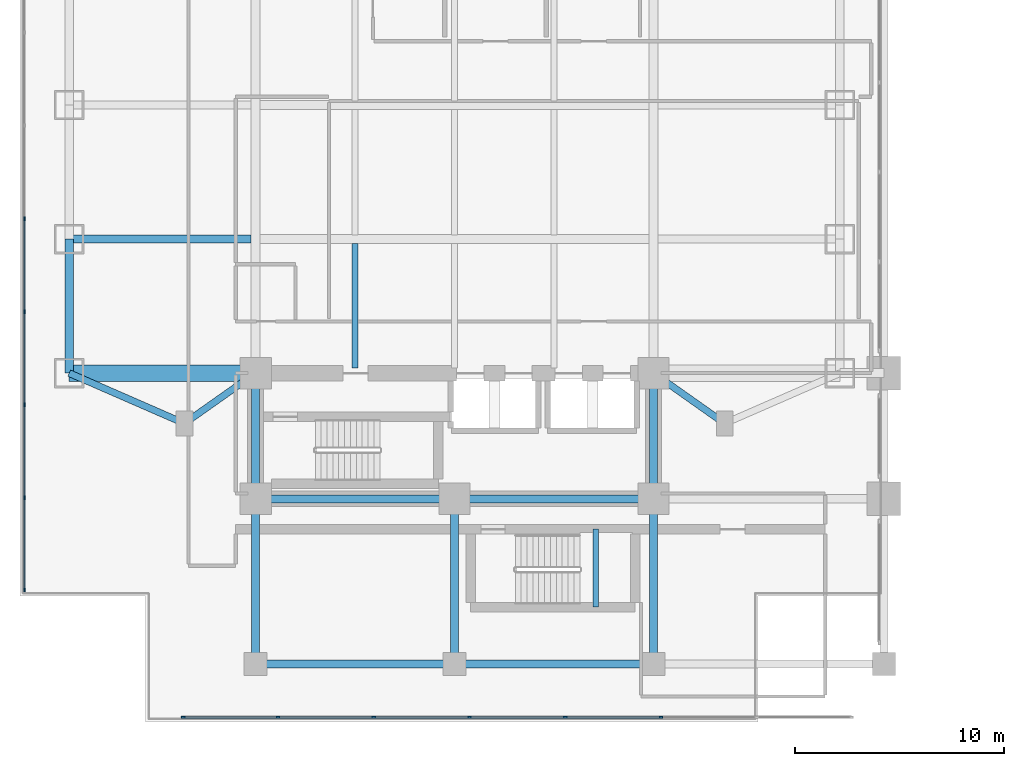
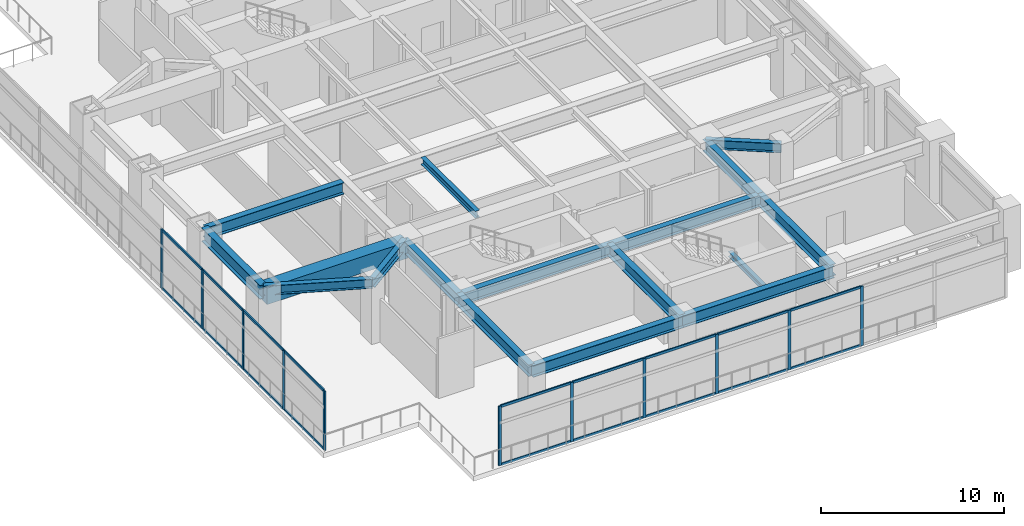
# One storey, part 2 of 31: 29 members, 17 beams, 2 elements without a shape of their own.
"""IFC4 building model written with IfcOpenShell, lengths in metres."""

from ifc_helpers import new_model, si_unit, direction, frame, origin, origin_2d, place, context, subcontext, project, spatial, rectangle, i_section, extrude, material, material_profile, profile_set, type_object, element, aggregate, save


model = new_model("IFC4")

# Units and contexts
model_context = context("Model", 3, precision=1e-05, world=origin(), true_north=direction((0.0, 1.0)))
body_context = subcontext(model_context, "Body", "Model", "MODEL_VIEW")
ifc_project = project(units=[si_unit("LENGTHUNIT", "METRE"), si_unit("AREAUNIT", "SQUARE_METRE"), si_unit("VOLUMEUNIT", "CUBIC_METRE"), si_unit("PLANEANGLEUNIT", "RADIAN"), si_unit("MASSUNIT", "GRAM", prefix="KILO")], contexts=[model_context])

# Site, building, storey
site_placement = place(None, origin())
site = spatial("IfcSite", under=ifc_project, at=site_placement, CompositionType="ELEMENT")
building_placement = place(site_placement, origin())
building = spatial("IfcBuilding", under=site, at=building_placement, Name="Mirazonda Arch Towers", CompositionType="ELEMENT")
storey_placement = place(building_placement, frame((0.0, 0.0, 5.199951171875)))
storey = spatial("IfcBuildingStorey", under=building, at=storey_placement, Name="L01", CompositionType="ELEMENT", Elevation=5.199951171875)

# Beams
ifc_material_1 = material(Name="Steel ASTM A992 Grade 50", Category="steel")
ifc_material_profile_1 = material_profile(ifc_material_1, i_section(OverallWidth=0.381103515625, OverallDepth=0.77294921875, WebThickness=0.0166015625, FlangeThickness=0.027099609375, at=origin_2d()), Name="W30X173")
ifc_profile_set_1 = profile_set([ifc_material_profile_1], Name="Steel ASTM A992 Grade 50")
beam_type_1 = type_object("IfcBeamType", Name="BM-EXT-W30X173", PredefinedType="USERDEFINED", material=ifc_profile_set_1)
for number, where, z_axis, x_axis, name in (
    (1, (11.0, 4.5, 3.593505859375), (1.0, 0.0, 0.0), (0.0, 1.0, 0.0), "L01 Floor Beam BM-POD-L01-PS-1"),
    (2, (20.5, 4.5, 3.593505859375), (1.0, 0.0, 0.0), (0.0, 1.0, 0.0), "L01 Floor Beam BM-POD-L01-PS-2"),
):
    element("IfcBeam", number, at=place(storey_placement, frame(where, z_axis=z_axis, x_axis=x_axis)), inside=storey, type_object=beam_type_1, Name=name, ObjectType="GIRDER", PredefinedType="USERDEFINED", context=body_context, shape_type="SweptSolid", body=[
        extrude(i_section(OverallWidth=0.381103515625, OverallDepth=0.77294921875, WebThickness=0.0166015625, FlangeThickness=0.027099609375, at=origin_2d()), origin(), (0.0, 0.0, 1.0), 9.5),
    ])
ifc_material_profile_2 = material_profile(ifc_material_1, i_section(OverallWidth=0.41796875, OverallDepth=0.927001953125, WebThickness=0.019287109375, FlangeThickness=0.031982421875, at=origin_2d()), Name="W36X231")
ifc_profile_set_2 = profile_set([ifc_material_profile_2], Name="Steel ASTM A992 Grade 50")
beam_type_2 = type_object("IfcBeamType", Name="BM-EXT-W36X231", PredefinedType="USERDEFINED", material=ifc_profile_set_2)
beam_1_placement = place(storey_placement, frame((2.10009765625, 18.39990234375, 3.5166015625), z_axis=(0.0, 1.0, 0.0), x_axis=(-1.0, 0.0, 0.0)))
element("IfcBeam", 3, at=beam_1_placement, inside=storey, type_object=beam_type_2, Name="L01 Floor Beam BM-T1-L01-NS-W-18", ObjectType="GIRDER", PredefinedType="USERDEFINED", context=body_context, shape_type="SweptSolid", body=[
    extrude(i_section(OverallWidth=0.41796875, OverallDepth=0.927001953125, WebThickness=0.019287109375, FlangeThickness=0.031982421875, at=origin_2d()), origin(), (0.0, 0.0, 1.0), 6.400146484375),
])
ifc_material_profile_3 = material_profile(ifc_material_1, i_section(OverallWidth=0.257080078125, OverallDepth=0.330078125, WebThickness=0.011962890625, FlangeThickness=0.01953125, at=origin_2d()), Name="W10X68")
ifc_profile_set_3 = profile_set([ifc_material_profile_3], Name="Steel ASTM A992 Grade 50")
beam_type_3 = type_object("IfcBeamType", Name="BM-INT-W10X68", PredefinedType="BEAM", material=ifc_profile_set_3)
beam_2_placement = place(storey_placement, frame((27.25, 7.219970703125, 1.78515625), z_axis=(0.0, 1.0, 0.0), x_axis=(-1.0, 0.0, 0.0)))
element("IfcBeam", 4, at=beam_2_placement, inside=storey, type_object=beam_type_3, Name="L01 ST-POD1 Landing Trimmer Beam", PredefinedType="BEAM", context=body_context, shape_type="SweptSolid", body=[
    extrude(i_section(OverallWidth=0.257080078125, OverallDepth=0.330078125, WebThickness=0.011962890625, FlangeThickness=0.01953125, at=origin_2d()), origin(), (0.0, 0.0, 1.0), 3.72998046875),
])
ifc_material_profile_4 = material_profile(ifc_material_1, i_section(OverallWidth=0.280029296875, OverallDepth=0.462890625, WebThickness=0.0107421875, FlangeThickness=0.017333984375, at=origin_2d()), Name="W18X76")
ifc_profile_set_4 = profile_set([ifc_material_profile_4], Name="Steel ASTM A992 Grade 50")
beam_type_4 = type_object("IfcBeamType", Name="BM-INT-W18X76", PredefinedType="JOIST", material=ifc_profile_set_4)
beam_3_placement = place(storey_placement, frame((15.75, 18.639892578125, 3.74853515625), z_axis=(0.0, 1.0, 0.0), x_axis=(-1.0, 0.0, 0.0)))
element("IfcBeam", 5, at=beam_3_placement, inside=storey, type_object=beam_type_4, Name="L01 Floor Beam BM-T1-L01-J-157-18", PredefinedType="JOIST", context=body_context, shape_type="SweptSolid", body=[
    extrude(i_section(OverallWidth=0.280029296875, OverallDepth=0.462890625, WebThickness=0.0107421875, FlangeThickness=0.017333984375, at=origin_2d()), origin(), (0.0, 0.0, 1.0), 5.9541015625),
])
ifc_material_profile_5 = material_profile(ifc_material_1, i_section(OverallWidth=0.324951171875, OverallDepth=0.615966796875, WebThickness=0.013916015625, FlangeThickness=0.021484375, at=origin_2d()), Name="W24X117")
ifc_profile_set_5 = profile_set([ifc_material_profile_5], Name="Steel ASTM A992 Grade 50")
beam_type_5 = type_object("IfcBeamType", Name="BM-INT-W24X117", PredefinedType="BEAM", material=ifc_profile_set_5)
beam_4_placement = place(storey_placement, frame((7.60009765625, 16.0, 3.672119140625), z_axis=(0.816971114901, 0.576678591087, 0.0), x_axis=(-0.576678591087, 0.816971114901, 0.0)))
element("IfcBeam", 6, at=beam_4_placement, inside=storey, type_object=beam_type_5, Name="L01 Floor Beam BM-T1-L01-PL-SW1", PredefinedType="BEAM", context=body_context, shape_type="SweptSolid", body=[
    extrude(i_section(OverallWidth=0.324951171875, OverallDepth=0.615966796875, WebThickness=0.013916015625, FlangeThickness=0.021484375, at=origin_2d()), origin(), (0.0, 0.0, 1.0), 4.16162109375),
])
beam_5_placement = place(storey_placement, frame((7.60009765625, 16.0, 3.672119140625), z_axis=(-0.916545343703, 0.399930785183, 0.0), x_axis=(-0.399930785183, -0.916545343703, 0.0)))
element("IfcBeam", 7, at=beam_5_placement, inside=storey, type_object=beam_type_5, Name="L01 Floor Beam BM-T1-L01-PL-SW2", PredefinedType="BEAM", context=body_context, shape_type="SweptSolid", body=[
    extrude(i_section(OverallWidth=0.324951171875, OverallDepth=0.615966796875, WebThickness=0.013916015625, FlangeThickness=0.021484375, at=origin_2d()), origin(), (0.0, 0.0, 1.0), 6.000732421875),
])
beam_6_placement = place(storey_placement, frame((33.39990234375, 16.0, 3.672119140625), z_axis=(-0.816971114901, 0.576678591087, 0.0), x_axis=(-0.576678591087, -0.816971114901, 0.0)))
element("IfcBeam", 8, at=beam_6_placement, inside=storey, type_object=beam_type_5, Name="L01 Floor Beam BM-T1-L01-PL-SE1", PredefinedType="BEAM", context=body_context, shape_type="SweptSolid", body=[
    extrude(i_section(OverallWidth=0.324951171875, OverallDepth=0.615966796875, WebThickness=0.013916015625, FlangeThickness=0.021484375, at=origin_2d()), origin(), (0.0, 0.0, 1.0), 4.16162109375),
])
ifc_material_profile_6 = material_profile(ifc_material_1, i_section(OverallWidth=0.381103515625, OverallDepth=0.77294921875, WebThickness=0.0166015625, FlangeThickness=0.027099609375, at=origin_2d()), Name="W30X173")
ifc_profile_set_6 = profile_set([ifc_material_profile_6], Name="Steel ASTM A992 Grade 50")
beam_type_6 = type_object("IfcBeamType", Name="BM-INT-W30X173", PredefinedType="USERDEFINED", material=ifc_profile_set_6)
beam_7_placement = place(storey_placement, frame((2.10009765625, 24.800048828125, 3.593505859375), z_axis=(1.0, 0.0, 0.0), x_axis=(0.0, 1.0, 0.0)))
element("IfcBeam", 9, at=beam_7_placement, inside=storey, type_object=beam_type_6, Name="L01 Floor Beam BM-T1-L01-GW2", ObjectType="GIRDER", PredefinedType="USERDEFINED", context=body_context, shape_type="SweptSolid", body=[
    extrude(i_section(OverallWidth=0.381103515625, OverallDepth=0.77294921875, WebThickness=0.0166015625, FlangeThickness=0.027099609375, at=origin_2d()), origin(), (0.0, 0.0, 1.0), 8.68994140625),
])
for number, where, z_axis, x_axis, name in (
    (10, (11.0, 12.39990234375, 3.593505859375), (1.0, 0.0, 0.0), (0.0, 1.0, 0.0), "L01 Floor Beam BM-T1-L01-CS1"),
    (11, (20.5, 12.39990234375, 3.593505859375), (1.0, 0.0, 0.0), (0.0, 1.0, 0.0), "L01 Floor Beam BM-T1-L01-CS2"),
):
    element("IfcBeam", number, at=place(storey_placement, frame(where, z_axis=z_axis, x_axis=x_axis)), inside=storey, type_object=beam_type_6, Name=name, ObjectType="GIRDER", PredefinedType="USERDEFINED", context=body_context, shape_type="SweptSolid", body=[
        extrude(i_section(OverallWidth=0.381103515625, OverallDepth=0.77294921875, WebThickness=0.0166015625, FlangeThickness=0.027099609375, at=origin_2d()), origin(), (0.0, 0.0, 1.0), 9.5),
    ])
for number, where, z_axis, x_axis, name in (
    (12, (11.0, 12.39990234375, 3.593505859375), (0.0, 1.0, 0.0), (-1.0, 0.0, 0.0), "L01 Floor Beam BM-T1-L01-CSW"),
    (13, (30.0, 12.39990234375, 3.593505859375), (0.0, 1.0, 0.0), (-1.0, 0.0, 0.0), "L01 Floor Beam BM-T1-L01-CSE"),
):
    element("IfcBeam", number, at=place(storey_placement, frame(where, z_axis=z_axis, x_axis=x_axis)), inside=storey, type_object=beam_type_6, Name=name, ObjectType="GIRDER", PredefinedType="USERDEFINED", context=body_context, shape_type="SweptSolid", body=[
        extrude(i_section(OverallWidth=0.381103515625, OverallDepth=0.77294921875, WebThickness=0.0166015625, FlangeThickness=0.027099609375, at=origin_2d()), origin(), (0.0, 0.0, 1.0), 6.0),
    ])
for number, where, z_axis, x_axis, name in (
    (14, (11.0, 4.5, 3.593505859375), (0.0, 1.0, 0.0), (-1.0, 0.0, 0.0), "L01 Floor Beam BM-POD-L01-PCS-1"),
    (15, (20.5, 4.5, 3.593505859375), (0.0, 1.0, 0.0), (-1.0, 0.0, 0.0), "L01 Floor Beam BM-POD-L01-PCS-2"),
    (16, (30.0, 4.5, 3.593505859375), (0.0, 1.0, 0.0), (-1.0, 0.0, 0.0), "L01 Floor Beam BM-POD-L01-PCS-3"),
):
    element("IfcBeam", number, at=place(storey_placement, frame(where, z_axis=z_axis, x_axis=x_axis)), inside=storey, type_object=beam_type_6, Name=name, ObjectType="GIRDER", PredefinedType="USERDEFINED", context=body_context, shape_type="SweptSolid", body=[
        extrude(i_section(OverallWidth=0.381103515625, OverallDepth=0.77294921875, WebThickness=0.0166015625, FlangeThickness=0.027099609375, at=origin_2d()), origin(), (0.0, 0.0, 1.0), 7.89990234375),
    ])
ifc_material_2 = material(Name="Concrete C60/75", Category="concrete")
ifc_material_profile_7 = material_profile(ifc_material_2, rectangle(XDim=0.800048828125, YDim=1.10009765625, at=origin_2d()), Name="RCCB800x1100")
ifc_profile_set_7 = profile_set([ifc_material_profile_7], Name="Concrete C60/75")
beam_type_7 = type_object("IfcBeamType", Name="CB-INT-RCCB800x1100", PredefinedType="SPANDREL", material=ifc_profile_set_7)
beam_8_placement = place(storey_placement, frame((2.10009765625, 18.39990234375, 3.429931640625), z_axis=(1.0, 0.0, 0.0), x_axis=(0.0, 1.0, 0.0)))
element("IfcBeam", 17, at=beam_8_placement, inside=storey, type_object=beam_type_7, Name="L01 Floor Beam CB-T1-L01-SW", PredefinedType="SPANDREL", context=body_context, shape_type="SweptSolid", body=[
    extrude(rectangle(XDim=0.800048828125, YDim=1.10009765625, at=origin_2d()), origin(), (0.0, 0.0, 1.0), 8.89990234375),
])

# Curtain wall, members
ifc_material_3 = material(Name="Anodised Aluminium and Low-E Glass", Category="aluminium")
curtain_wall_type = type_object("IfcCurtainWallType", Name="CW-POD-STORE", PredefinedType="NOTDEFINED", material=ifc_material_3)
curtain_wall_1_placement = place(storey_placement, origin())
curtain_wall_1 = element("IfcCurtainWall", 18, at=curtain_wall_1_placement, inside=storey, type_object=curtain_wall_type, Name="L01 Curtain Wall CW-L01-WS", PredefinedType="NOTDEFINED")
ifc_material_4 = material(Name="Anodised Aluminium Alloy", Category="aluminium")
ifc_material_profile_8 = material_profile(ifc_material_4, rectangle(XDim=0.080078125, YDim=0.179931640625, at=origin_2d()), Name="ALU-MULL-80x180")
ifc_profile_set_8 = profile_set([ifc_material_profile_8], Name="Anodised Aluminium Alloy")
member_type_1 = type_object("IfcMemberType", Name="MULL-CW-POD-STORE", PredefinedType="MULLION", material=ifc_profile_set_8)
member_1_placement = place(storey_placement, frame((30.357177734375, 1.969970703125, 0.0), z_axis=(0.0, 0.0, 1.0), x_axis=(0.0, -1.0, 0.0)))
member_1 = element("IfcMember", 19, at=member_1_placement, type_object=member_type_1, Name="CW-102 mullion 3", PredefinedType="MULLION", context=body_context, shape_type="SweptSolid", body=[
    extrude(rectangle(XDim=0.080078125, YDim=0.179931640625, at=origin_2d()), origin(), (0.0, 0.0, 1.0), 3.9599609375),
])
member_2_placement = place(storey_placement, frame((25.78564453125, 1.969970703125, 0.0), z_axis=(0.0, 0.0, 1.0), x_axis=(0.0, -1.0, 0.0)))
member_2 = element("IfcMember", 20, at=member_2_placement, type_object=member_type_1, Name="CW-102 mullion 4", PredefinedType="MULLION", context=body_context, shape_type="SweptSolid", body=[
    extrude(rectangle(XDim=0.080078125, YDim=0.179931640625, at=origin_2d()), origin(), (0.0, 0.0, 1.0), 3.9599609375),
])
member_3_placement = place(storey_placement, frame((21.21435546875, 1.969970703125, 0.0), z_axis=(0.0, 0.0, 1.0), x_axis=(0.0, -1.0, 0.0)))
member_3 = element("IfcMember", 21, at=member_3_placement, type_object=member_type_1, Name="CW-102 mullion 5", PredefinedType="MULLION", context=body_context, shape_type="SweptSolid", body=[
    extrude(rectangle(XDim=0.080078125, YDim=0.179931640625, at=origin_2d()), origin(), (0.0, 0.0, 1.0), 3.9599609375),
])
member_4_placement = place(storey_placement, frame((16.642822265625, 1.969970703125, 0.0), z_axis=(0.0, 0.0, 1.0), x_axis=(0.0, -1.0, 0.0)))
member_4 = element("IfcMember", 22, at=member_4_placement, type_object=member_type_1, Name="CW-102 mullion 6", PredefinedType="MULLION", context=body_context, shape_type="SweptSolid", body=[
    extrude(rectangle(XDim=0.080078125, YDim=0.179931640625, at=origin_2d()), origin(), (0.0, 0.0, 1.0), 3.9599609375),
])
member_5_placement = place(storey_placement, frame((12.071533203125, 1.969970703125, 0.0), z_axis=(0.0, 0.0, 1.0), x_axis=(0.0, -1.0, 0.0)))
member_5 = element("IfcMember", 23, at=member_5_placement, type_object=member_type_1, Name="CW-102 mullion 7", PredefinedType="MULLION", context=body_context, shape_type="SweptSolid", body=[
    extrude(rectangle(XDim=0.080078125, YDim=0.179931640625, at=origin_2d()), origin(), (0.0, 0.0, 1.0), 3.9599609375),
])
member_6_placement = place(storey_placement, frame((7.5400390625, 1.969970703125, 0.0), z_axis=(0.0, 0.0, 1.0), x_axis=(0.0, -1.0, 0.0)))
member_6 = element("IfcMember", 24, at=member_6_placement, type_object=member_type_1, Name="CW-102 mullion 8", PredefinedType="MULLION", context=body_context, shape_type="SweptSolid", body=[
    extrude(rectangle(XDim=0.080078125, YDim=0.179931640625, at=origin_2d()), origin(), (0.0, 0.0, 1.0), 3.9599609375),
])

curtain_wall_2_placement = place(storey_placement, origin())
curtain_wall_2 = element("IfcCurtainWall", 25, at=curtain_wall_2_placement, inside=storey, type_object=curtain_wall_type, Name="L01 Curtain Wall CW-L01-WW", PredefinedType="NOTDEFINED")
member_7_placement = place(storey_placement, frame((-0.030029296875, 25.77783203125, 0.0), z_axis=(0.0, 0.0, 1.0), x_axis=(1.0, 0.0, 0.0)))
member_7 = element("IfcMember", 26, at=member_7_placement, type_object=member_type_1, Name="CW-102 mullion 6", PredefinedType="MULLION", context=body_context, shape_type="SweptSolid", body=[
    extrude(rectangle(XDim=0.080078125, YDim=0.179931640625, at=origin_2d()), origin(), (0.0, 0.0, 1.0), 3.9599609375),
])
member_8_placement = place(storey_placement, frame((-0.030029296875, 21.333251953125, 0.0), z_axis=(0.0, 0.0, 1.0), x_axis=(1.0, 0.0, 0.0)))
member_8 = element("IfcMember", 27, at=member_8_placement, type_object=member_type_1, Name="CW-102 mullion 7", PredefinedType="MULLION", context=body_context, shape_type="SweptSolid", body=[
    extrude(rectangle(XDim=0.080078125, YDim=0.179931640625, at=origin_2d()), origin(), (0.0, 0.0, 1.0), 3.9599609375),
])
member_9_placement = place(storey_placement, frame((-0.030029296875, 16.888916015625, 0.0), z_axis=(0.0, 0.0, 1.0), x_axis=(1.0, 0.0, 0.0)))
member_9 = element("IfcMember", 28, at=member_9_placement, type_object=member_type_1, Name="CW-102 mullion 8", PredefinedType="MULLION", context=body_context, shape_type="SweptSolid", body=[
    extrude(rectangle(XDim=0.080078125, YDim=0.179931640625, at=origin_2d()), origin(), (0.0, 0.0, 1.0), 3.9599609375),
])
member_10_placement = place(storey_placement, frame((-0.030029296875, 12.4443359375, 0.0), z_axis=(0.0, 0.0, 1.0), x_axis=(1.0, 0.0, 0.0)))
member_10 = element("IfcMember", 29, at=member_10_placement, type_object=member_type_1, Name="CW-102 mullion 9", PredefinedType="MULLION", context=body_context, shape_type="SweptSolid", body=[
    extrude(rectangle(XDim=0.080078125, YDim=0.179931640625, at=origin_2d()), origin(), (0.0, 0.0, 1.0), 3.9599609375),
])
member_11_placement = place(storey_placement, frame((-0.030029296875, 8.0400390625, 0.0), z_axis=(0.0, 0.0, 1.0), x_axis=(1.0, 0.0, 0.0)))
member_11 = element("IfcMember", 30, at=member_11_placement, type_object=member_type_1, Name="CW-102 mullion 10", PredefinedType="MULLION", context=body_context, shape_type="SweptSolid", body=[
    extrude(rectangle(XDim=0.080078125, YDim=0.179931640625, at=origin_2d()), origin(), (0.0, 0.0, 1.0), 3.9599609375),
])

# Member
ifc_material_profile_9 = material_profile(ifc_material_4, rectangle(XDim=0.080078125, YDim=0.159912109375, at=origin_2d()), Name="ALU-TRAN-80x160")
ifc_profile_set_9 = profile_set([ifc_material_profile_9], Name="Anodised Aluminium Alloy")
member_type_2 = type_object("IfcMemberType", Name="TRAN-CW-POD-STORE", PredefinedType="USERDEFINED", material=ifc_profile_set_9)
member_12_placement = place(storey_placement, frame((30.317138671875, 1.969970703125, 0.0400390625), z_axis=(-1.0, 0.0, 0.0), x_axis=(0.0, -1.0, 0.0)))
member_12 = element("IfcMember", 31, at=member_12_placement, type_object=member_type_2, Name="CW-102 transom 3.1", ObjectType="TRANSOM", PredefinedType="USERDEFINED", context=body_context, shape_type="SweptSolid", body=[
    extrude(rectangle(XDim=0.080078125, YDim=0.159912109375, at=origin_2d()), origin(), (0.0, 0.0, 1.0), 4.491455078125),
])

member_13_placement = place(storey_placement, frame((30.317138671875, 1.969970703125, 3.920166015625), z_axis=(-1.0, 0.0, 0.0), x_axis=(0.0, -1.0, 0.0)))
member_13 = element("IfcMember", 32, at=member_13_placement, type_object=member_type_2, Name="CW-102 transom 3.2", ObjectType="TRANSOM", PredefinedType="USERDEFINED", context=body_context, shape_type="SweptSolid", body=[
    extrude(rectangle(XDim=0.080078125, YDim=0.159912109375, at=origin_2d()), origin(), (0.0, 0.0, 1.0), 4.491455078125),
])

member_14_placement = place(storey_placement, frame((25.74560546875, 1.969970703125, 0.0400390625), z_axis=(-1.0, 0.0, 0.0), x_axis=(0.0, -1.0, 0.0)))
member_14 = element("IfcMember", 33, at=member_14_placement, type_object=member_type_2, Name="CW-102 transom 4.1", ObjectType="TRANSOM", PredefinedType="USERDEFINED", context=body_context, shape_type="SweptSolid", body=[
    extrude(rectangle(XDim=0.080078125, YDim=0.159912109375, at=origin_2d()), origin(), (0.0, 0.0, 1.0), 4.4912109375),
])

member_15_placement = place(storey_placement, frame((25.74560546875, 1.969970703125, 3.920166015625), z_axis=(-1.0, 0.0, 0.0), x_axis=(0.0, -1.0, 0.0)))
member_15 = element("IfcMember", 34, at=member_15_placement, type_object=member_type_2, Name="CW-102 transom 4.2", ObjectType="TRANSOM", PredefinedType="USERDEFINED", context=body_context, shape_type="SweptSolid", body=[
    extrude(rectangle(XDim=0.080078125, YDim=0.159912109375, at=origin_2d()), origin(), (0.0, 0.0, 1.0), 4.4912109375),
])

member_16_placement = place(storey_placement, frame((21.17431640625, 1.969970703125, 0.0400390625), z_axis=(-1.0, 0.0, 0.0), x_axis=(0.0, -1.0, 0.0)))
member_16 = element("IfcMember", 35, at=member_16_placement, type_object=member_type_2, Name="CW-102 transom 5.1", ObjectType="TRANSOM", PredefinedType="USERDEFINED", context=body_context, shape_type="SweptSolid", body=[
    extrude(rectangle(XDim=0.080078125, YDim=0.159912109375, at=origin_2d()), origin(), (0.0, 0.0, 1.0), 4.491455078125),
])

member_17_placement = place(storey_placement, frame((21.17431640625, 1.969970703125, 3.920166015625), z_axis=(-1.0, 0.0, 0.0), x_axis=(0.0, -1.0, 0.0)))
member_17 = element("IfcMember", 36, at=member_17_placement, type_object=member_type_2, Name="CW-102 transom 5.2", ObjectType="TRANSOM", PredefinedType="USERDEFINED", context=body_context, shape_type="SweptSolid", body=[
    extrude(rectangle(XDim=0.080078125, YDim=0.159912109375, at=origin_2d()), origin(), (0.0, 0.0, 1.0), 4.491455078125),
])

member_18_placement = place(storey_placement, frame((16.602783203125, 1.969970703125, 0.0400390625), z_axis=(-1.0, 0.0, 0.0), x_axis=(0.0, -1.0, 0.0)))
member_18 = element("IfcMember", 37, at=member_18_placement, type_object=member_type_2, Name="CW-102 transom 6.1", ObjectType="TRANSOM", PredefinedType="USERDEFINED", context=body_context, shape_type="SweptSolid", body=[
    extrude(rectangle(XDim=0.080078125, YDim=0.159912109375, at=origin_2d()), origin(), (0.0, 0.0, 1.0), 4.491455078125),
])

member_19_placement = place(storey_placement, frame((16.602783203125, 1.969970703125, 3.920166015625), z_axis=(-1.0, 0.0, 0.0), x_axis=(0.0, -1.0, 0.0)))
member_19 = element("IfcMember", 38, at=member_19_placement, type_object=member_type_2, Name="CW-102 transom 6.2", ObjectType="TRANSOM", PredefinedType="USERDEFINED", context=body_context, shape_type="SweptSolid", body=[
    extrude(rectangle(XDim=0.080078125, YDim=0.159912109375, at=origin_2d()), origin(), (0.0, 0.0, 1.0), 4.491455078125),
])

member_20_placement = place(storey_placement, frame((12.031494140625, 1.969970703125, 0.0400390625), z_axis=(-1.0, 0.0, 0.0), x_axis=(0.0, -1.0, 0.0)))
member_20 = element("IfcMember", 39, at=member_20_placement, type_object=member_type_2, Name="CW-102 transom 7.1", ObjectType="TRANSOM", PredefinedType="USERDEFINED", context=body_context, shape_type="SweptSolid", body=[
    extrude(rectangle(XDim=0.080078125, YDim=0.159912109375, at=origin_2d()), origin(), (0.0, 0.0, 1.0), 4.451416015625),
])

member_21_placement = place(storey_placement, frame((12.031494140625, 1.969970703125, 3.920166015625), z_axis=(-1.0, 0.0, 0.0), x_axis=(0.0, -1.0, 0.0)))
member_21 = element("IfcMember", 40, at=member_21_placement, type_object=member_type_2, Name="CW-102 transom 7.2", ObjectType="TRANSOM", PredefinedType="USERDEFINED", context=body_context, shape_type="SweptSolid", body=[
    extrude(rectangle(XDim=0.080078125, YDim=0.159912109375, at=origin_2d()), origin(), (0.0, 0.0, 1.0), 4.451416015625),
])

aggregate(curtain_wall_1, [member_1, member_2, member_3, member_4, member_5, member_6, member_12, member_13, member_14, member_15, member_16, member_17, member_18, member_19, member_20, member_21])

member_22_placement = place(storey_placement, frame((-0.030029296875, 25.73779296875, 0.0400390625), z_axis=(0.0, -1.0, 0.0), x_axis=(1.0, 0.0, 0.0)))
member_22 = element("IfcMember", 41, at=member_22_placement, type_object=member_type_2, Name="CW-102 transom 6.1", ObjectType="TRANSOM", PredefinedType="USERDEFINED", context=body_context, shape_type="SweptSolid", body=[
    extrude(rectangle(XDim=0.080078125, YDim=0.159912109375, at=origin_2d()), origin(), (0.0, 0.0, 1.0), 4.364501953125),
])

member_23_placement = place(storey_placement, frame((-0.030029296875, 25.73779296875, 3.920166015625), z_axis=(0.0, -1.0, 0.0), x_axis=(1.0, 0.0, 0.0)))
member_23 = element("IfcMember", 42, at=member_23_placement, type_object=member_type_2, Name="CW-102 transom 6.2", ObjectType="TRANSOM", PredefinedType="USERDEFINED", context=body_context, shape_type="SweptSolid", body=[
    extrude(rectangle(XDim=0.080078125, YDim=0.159912109375, at=origin_2d()), origin(), (0.0, 0.0, 1.0), 4.364501953125),
])

member_24_placement = place(storey_placement, frame((-0.030029296875, 21.293212890625, 0.0400390625), z_axis=(0.0, -1.0, 0.0), x_axis=(1.0, 0.0, 0.0)))
member_24 = element("IfcMember", 43, at=member_24_placement, type_object=member_type_2, Name="CW-102 transom 7.1", ObjectType="TRANSOM", PredefinedType="USERDEFINED", context=body_context, shape_type="SweptSolid", body=[
    extrude(rectangle(XDim=0.080078125, YDim=0.159912109375, at=origin_2d()), origin(), (0.0, 0.0, 1.0), 4.3642578125),
])

member_25_placement = place(storey_placement, frame((-0.030029296875, 21.293212890625, 3.920166015625), z_axis=(0.0, -1.0, 0.0), x_axis=(1.0, 0.0, 0.0)))
member_25 = element("IfcMember", 44, at=member_25_placement, type_object=member_type_2, Name="CW-102 transom 7.2", ObjectType="TRANSOM", PredefinedType="USERDEFINED", context=body_context, shape_type="SweptSolid", body=[
    extrude(rectangle(XDim=0.080078125, YDim=0.159912109375, at=origin_2d()), origin(), (0.0, 0.0, 1.0), 4.3642578125),
])

member_26_placement = place(storey_placement, frame((-0.030029296875, 16.848876953125, 0.0400390625), z_axis=(0.0, -1.0, 0.0), x_axis=(1.0, 0.0, 0.0)))
member_26 = element("IfcMember", 45, at=member_26_placement, type_object=member_type_2, Name="CW-102 transom 8.1", ObjectType="TRANSOM", PredefinedType="USERDEFINED", context=body_context, shape_type="SweptSolid", body=[
    extrude(rectangle(XDim=0.080078125, YDim=0.159912109375, at=origin_2d()), origin(), (0.0, 0.0, 1.0), 4.364501953125),
])

member_27_placement = place(storey_placement, frame((-0.030029296875, 16.848876953125, 3.920166015625), z_axis=(0.0, -1.0, 0.0), x_axis=(1.0, 0.0, 0.0)))
member_27 = element("IfcMember", 46, at=member_27_placement, type_object=member_type_2, Name="CW-102 transom 8.2", ObjectType="TRANSOM", PredefinedType="USERDEFINED", context=body_context, shape_type="SweptSolid", body=[
    extrude(rectangle(XDim=0.080078125, YDim=0.159912109375, at=origin_2d()), origin(), (0.0, 0.0, 1.0), 4.364501953125),
])

member_28_placement = place(storey_placement, frame((-0.030029296875, 12.404541015625, 0.0400390625), z_axis=(0.0, -1.0, 0.0), x_axis=(1.0, 0.0, 0.0)))
member_28 = element("IfcMember", 47, at=member_28_placement, type_object=member_type_2, Name="CW-102 transom 9.1", ObjectType="TRANSOM", PredefinedType="USERDEFINED", context=body_context, shape_type="SweptSolid", body=[
    extrude(rectangle(XDim=0.080078125, YDim=0.159912109375, at=origin_2d()), origin(), (0.0, 0.0, 1.0), 4.324462890625),
])

member_29_placement = place(storey_placement, frame((-0.030029296875, 12.404541015625, 3.920166015625), z_axis=(0.0, -1.0, 0.0), x_axis=(1.0, 0.0, 0.0)))
member_29 = element("IfcMember", 48, at=member_29_placement, type_object=member_type_2, Name="CW-102 transom 9.2", ObjectType="TRANSOM", PredefinedType="USERDEFINED", context=body_context, shape_type="SweptSolid", body=[
    extrude(rectangle(XDim=0.080078125, YDim=0.159912109375, at=origin_2d()), origin(), (0.0, 0.0, 1.0), 4.324462890625),
])

aggregate(curtain_wall_2, [member_7, member_8, member_9, member_10, member_11, member_22, member_23, member_24, member_25, member_26, member_27, member_28, member_29])

save(model, "model.ifc")
